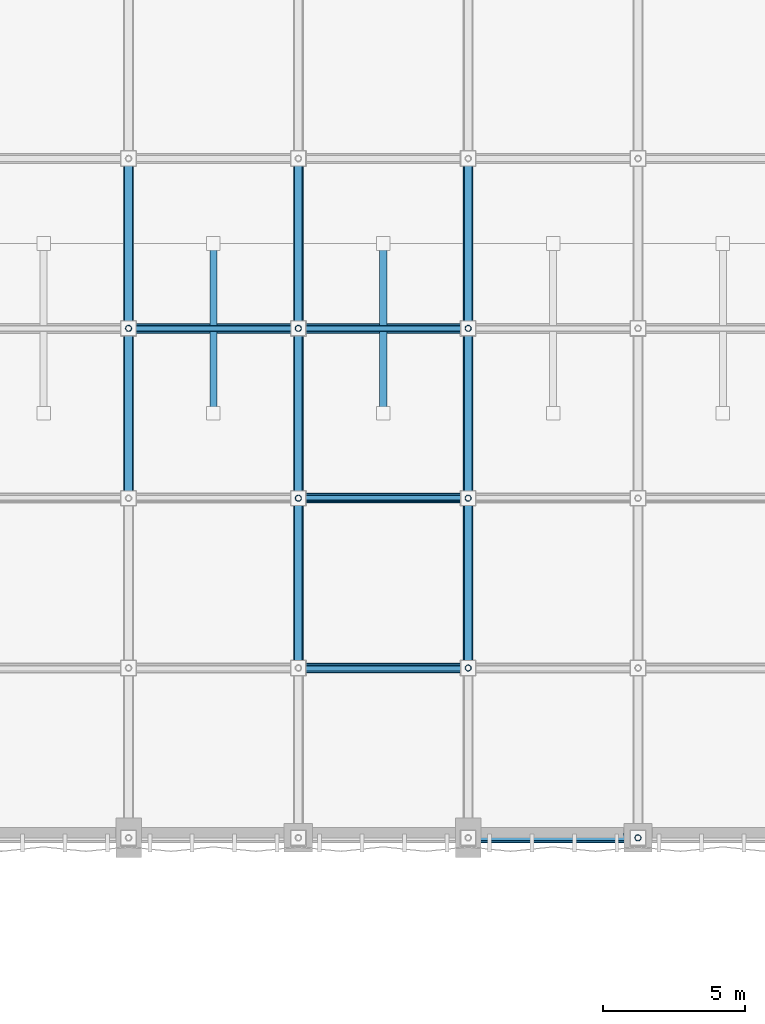
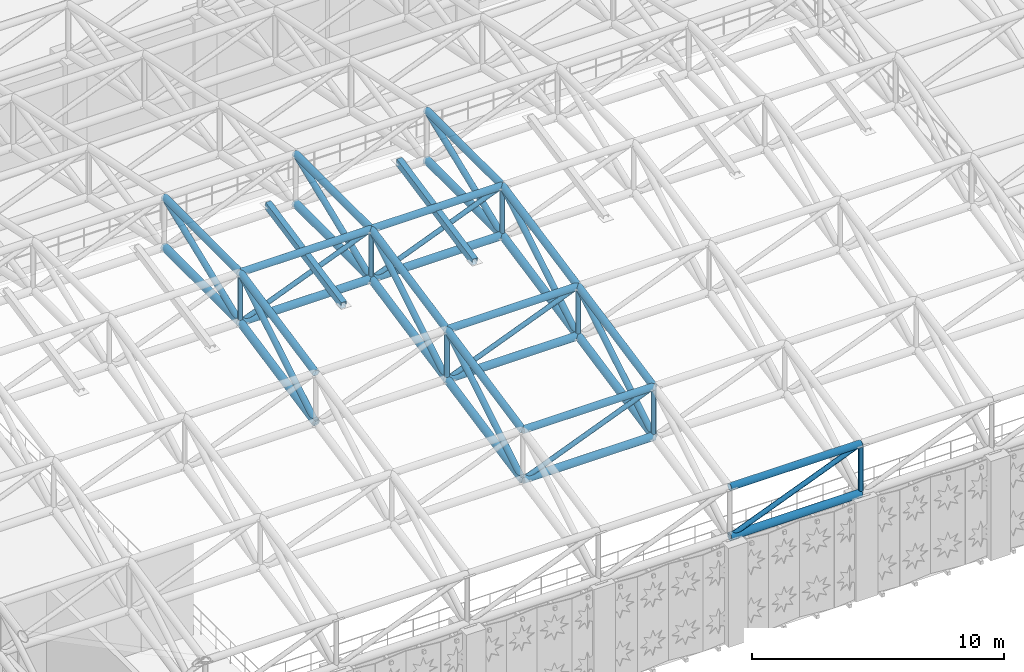
# One storey, part 18 of 112: 48 members.
"""IFC4 building model written with IfcOpenShell, lengths in metres."""

from ifc_helpers import new_model, si_unit, direction, frame, origin, origin_2d, place, context, subcontext, project, spatial, hollow_rectangle, hollow_circle, extrude, material, material_profile, profile_set, type_object, element, save


model = new_model("IFC4")

# Units and contexts
model_context = context("Model", 3, precision=1e-05, world=origin(), true_north=direction((0.0, 1.0)))
body_context = subcontext(model_context, "Body", "Model", "MODEL_VIEW")
ifc_project = project(units=[si_unit("LENGTHUNIT", "METRE"), si_unit("AREAUNIT", "SQUARE_METRE"), si_unit("VOLUMEUNIT", "CUBIC_METRE"), si_unit("PLANEANGLEUNIT", "RADIAN"), si_unit("MASSUNIT", "GRAM", prefix="KILO"), si_unit("THERMODYNAMICTEMPERATUREUNIT", "KELVIN"), si_unit("POWERUNIT", "WATT")], contexts=[model_context])

# Site, building, storey
site_placement = place(None, origin())
site = spatial("IfcSite", under=ifc_project, at=site_placement, CompositionType="ELEMENT")
building_placement = place(site_placement, origin())
building = spatial("IfcBuilding", under=site, at=building_placement, Name="Phaisarnlok Congress Hotel", CompositionType="ELEMENT")
storey_placement = place(building_placement, frame((0.0, 0.0, 19.800048828125)))
storey = spatial("IfcBuildingStorey", under=building, at=storey_placement, Name="L04", CompositionType="ELEMENT", Elevation=19.800048828125)

# Members
ifc_material = material(Name="Steel S355", Category="steel")
ifc_material_profile_1 = material_profile(ifc_material, hollow_circle(Radius=0.109619140625, WallThickness=0.012451171875, at=origin_2d()), Name="CHS 219.1x12.5")
ifc_profile_set_1 = profile_set([ifc_material_profile_1], Name="Steel S355")
member_type_1 = type_object("IfcMemberType", Name="MEM-BRC-CHS219", PredefinedType="BRACE", material=ifc_profile_set_1)
member_1_placement = place(storey_placement, frame((18.0, 60.0, 8.462158203125), z_axis=(0.0, 0.0, 1.0), x_axis=(1.0, 0.0, 0.0)))
element("IfcMember", 1, at=member_1_placement, inside=storey, type_object=member_type_1, Name="Congress Hall space frame vertical brace TB-02", PredefinedType="BRACE", context=body_context, shape_type="SweptSolid", body=[
    extrude(hollow_circle(Radius=0.109619140625, WallThickness=0.012451171875, at=origin_2d()), origin(), (0.0, 0.0, 1.0), 2.39990234375),
])
for number, where, z_axis, x_axis, name in (
    (2, (18.0, 60.0, 8.462158203125), (0.928481901832, 0.0, 0.371377648723), (0.0, 1.0, 0.0), "Congress Hall space frame web diagonal TB-02"),
    (3, (24.0, 48.0, 6.020751953125), (0.928481901832, 0.0, 0.371377648723), (0.0, 1.0, 0.0), "Congress Hall space frame web diagonal TB-02"),
):
    element("IfcMember", number, at=place(storey_placement, frame(where, z_axis=z_axis, x_axis=x_axis)), inside=storey, type_object=member_type_1, Name=name, PredefinedType="BRACE", context=body_context, shape_type="SweptSolid", body=[
        extrude(hollow_circle(Radius=0.109619140625, WallThickness=0.012451171875, at=origin_2d()), origin(), (0.0, 0.0, 1.0), 6.462158203125),
    ])
member_2_placement = place(storey_placement, frame((24.0, 54.0, 7.241455078125), z_axis=(0.0, 0.0, 1.0), x_axis=(1.0, 0.0, 0.0)))
element("IfcMember", 4, at=member_2_placement, inside=storey, type_object=member_type_1, Name="Congress Hall space frame vertical brace TB-02", PredefinedType="BRACE", context=body_context, shape_type="SweptSolid", body=[
    extrude(hollow_circle(Radius=0.109619140625, WallThickness=0.012451171875, at=origin_2d()), origin(), (0.0, 0.0, 1.0), 2.39990234375),
])
member_3_placement = place(storey_placement, frame((24.0, 54.0, 7.241455078125), z_axis=(0.928481901832, 0.0, 0.371377648723), x_axis=(0.0, 1.0, 0.0)))
element("IfcMember", 5, at=member_3_placement, inside=storey, type_object=member_type_1, Name="Congress Hall space frame web diagonal TB-02", PredefinedType="BRACE", context=body_context, shape_type="SweptSolid", body=[
    extrude(hollow_circle(Radius=0.109619140625, WallThickness=0.012451171875, at=origin_2d()), origin(), (0.0, 0.0, 1.0), 6.462158203125),
])
member_4_placement = place(storey_placement, frame((24.0, 60.0, 8.462158203125), z_axis=(0.0, 0.0, 1.0), x_axis=(1.0, 0.0, 0.0)))
element("IfcMember", 6, at=member_4_placement, inside=storey, type_object=member_type_1, Name="Congress Hall space frame vertical brace TB-02", PredefinedType="BRACE", context=body_context, shape_type="SweptSolid", body=[
    extrude(hollow_circle(Radius=0.109619140625, WallThickness=0.012451171875, at=origin_2d()), origin(), (0.0, 0.0, 1.0), 2.39990234375),
])
for number, where, z_axis, x_axis, name in (
    (7, (24.0, 60.0, 8.462158203125), (0.928481901832, 0.0, 0.371377648723), (0.0, 1.0, 0.0), "Congress Hall space frame web diagonal TB-02"),
    (8, (30.0, 42.0, 4.800048828125), (0.928481901832, 0.0, 0.371377648723), (0.0, 1.0, 0.0), "Congress Hall space frame web diagonal TB-02"),
):
    element("IfcMember", number, at=place(storey_placement, frame(where, z_axis=z_axis, x_axis=x_axis)), inside=storey, type_object=member_type_1, Name=name, PredefinedType="BRACE", context=body_context, shape_type="SweptSolid", body=[
        extrude(hollow_circle(Radius=0.109619140625, WallThickness=0.012451171875, at=origin_2d()), origin(), (0.0, 0.0, 1.0), 6.462158203125),
    ])
for number, where, z_axis, x_axis, name in (
    (9, (30.0, 48.0, 6.020751953125), (0.0, 0.0, 1.0), (1.0, 0.0, 0.0), "Congress Hall space frame vertical brace TB-02"),
    (10, (30.0, 54.0, 7.241455078125), (0.0, 0.0, 1.0), (1.0, 0.0, 0.0), "Congress Hall space frame vertical brace TB-02"),
    (11, (30.0, 60.0, 8.462158203125), (0.0, 0.0, 1.0), (1.0, 0.0, 0.0), "Congress Hall space frame vertical brace TB-02"),
    (12, (36.0, 42.0, 4.800048828125), (0.0, 0.0, 1.0), (1.0, 0.0, 0.0), "Congress Hall space frame vertical brace TB-02"),
):
    element("IfcMember", number, at=place(storey_placement, frame(where, z_axis=z_axis, x_axis=x_axis)), inside=storey, type_object=member_type_1, Name=name, PredefinedType="BRACE", context=body_context, shape_type="SweptSolid", body=[
        extrude(hollow_circle(Radius=0.109619140625, WallThickness=0.012451171875, at=origin_2d()), origin(), (0.0, 0.0, 1.0), 2.39990234375),
    ])
ifc_material_profile_2 = material_profile(ifc_material, hollow_circle(Radius=0.136474609375, WallThickness=0.01611328125, at=origin_2d()), Name="CHS 273x16")
ifc_profile_set_2 = profile_set([ifc_material_profile_2], Name="Steel S355")
member_type_2 = type_object("IfcMemberType", Name="MEM-BRC-CHS273", PredefinedType="BRACE", material=ifc_profile_set_2)
member_5_placement = place(storey_placement, frame((18.0, 54.0, 7.241455078125), z_axis=(0.0, 0.856192975252, 0.516656161417), x_axis=(-1.0, 0.0, 0.0)))
element("IfcMember", 13, at=member_5_placement, inside=storey, type_object=member_type_2, Name="Congress Hall space frame raking brace TB-03", PredefinedType="BRACE", context=body_context, shape_type="SweptSolid", body=[
    extrude(hollow_circle(Radius=0.136474609375, WallThickness=0.01611328125, at=origin_2d()), origin(), (0.0, 0.0, 1.0), 7.0078125),
])
member_6_placement = place(storey_placement, frame((18.0, 60.0, 8.462158203125), z_axis=(0.0, 0.928481901832, 0.371377648723), x_axis=(-1.0, 0.0, 0.0)))
element("IfcMember", 14, at=member_6_placement, inside=storey, type_object=member_type_2, Name="Congress Hall space frame raking brace TB-03", PredefinedType="BRACE", context=body_context, shape_type="SweptSolid", body=[
    extrude(hollow_circle(Radius=0.136474609375, WallThickness=0.01611328125, at=origin_2d()), origin(), (0.0, 0.0, 1.0), 6.462158203125),
])
for number, where, z_axis, x_axis, name in (
    (15, (24.0, 48.0, 6.020751953125), (0.0, 0.856192975252, 0.516656161417), (-1.0, 0.0, 0.0), "Congress Hall space frame raking brace TB-03"),
    (16, (24.0, 54.0, 7.241455078125), (0.0, 0.856192975252, 0.516656161417), (-1.0, 0.0, 0.0), "Congress Hall space frame raking brace TB-03"),
):
    element("IfcMember", number, at=place(storey_placement, frame(where, z_axis=z_axis, x_axis=x_axis)), inside=storey, type_object=member_type_2, Name=name, PredefinedType="BRACE", context=body_context, shape_type="SweptSolid", body=[
        extrude(hollow_circle(Radius=0.136474609375, WallThickness=0.01611328125, at=origin_2d()), origin(), (0.0, 0.0, 1.0), 7.0078125),
    ])
member_7_placement = place(storey_placement, frame((24.0, 60.0, 8.462158203125), z_axis=(0.0, 0.928481901832, 0.371377648723), x_axis=(-1.0, 0.0, 0.0)))
element("IfcMember", 17, at=member_7_placement, inside=storey, type_object=member_type_2, Name="Congress Hall space frame raking brace TB-03", PredefinedType="BRACE", context=body_context, shape_type="SweptSolid", body=[
    extrude(hollow_circle(Radius=0.136474609375, WallThickness=0.01611328125, at=origin_2d()), origin(), (0.0, 0.0, 1.0), 6.462158203125),
])
for number, where, z_axis, x_axis, name in (
    (18, (30.0, 48.0, 6.020751953125), (0.0, 0.856192975252, 0.516656161417), (-1.0, 0.0, 0.0), "Congress Hall space frame raking brace TB-03"),
    (19, (30.0, 54.0, 7.241455078125), (0.0, 0.856192975252, 0.516656161417), (-1.0, 0.0, 0.0), "Congress Hall space frame raking brace TB-03"),
):
    element("IfcMember", number, at=place(storey_placement, frame(where, z_axis=z_axis, x_axis=x_axis)), inside=storey, type_object=member_type_2, Name=name, PredefinedType="BRACE", context=body_context, shape_type="SweptSolid", body=[
        extrude(hollow_circle(Radius=0.136474609375, WallThickness=0.01611328125, at=origin_2d()), origin(), (0.0, 0.0, 1.0), 7.0078125),
    ])
member_8_placement = place(storey_placement, frame((30.0, 60.0, 8.462158203125), z_axis=(0.0, 0.928481901832, 0.371377648723), x_axis=(-1.0, 0.0, 0.0)))
element("IfcMember", 20, at=member_8_placement, inside=storey, type_object=member_type_2, Name="Congress Hall space frame raking brace TB-03", PredefinedType="BRACE", context=body_context, shape_type="SweptSolid", body=[
    extrude(hollow_circle(Radius=0.136474609375, WallThickness=0.01611328125, at=origin_2d()), origin(), (0.0, 0.0, 1.0), 6.462158203125),
])
ifc_material_profile_3 = material_profile(ifc_material, hollow_circle(Radius=0.161865234375, WallThickness=0.01611328125, at=origin_2d()), Name="CHS 323.9x16")
ifc_profile_set_3 = profile_set([ifc_material_profile_3], Name="Steel S355")
member_type_3 = type_object("IfcMemberType", Name="MEM-CHD-CHS324", PredefinedType="CHORD", material=ifc_profile_set_3)
member_9_placement = place(storey_placement, frame((18.0, 54.0, 9.641357421875), z_axis=(0.0, 0.979925045119, 0.199366260807), x_axis=(-1.0, 0.0, 0.0)))
element("IfcMember", 21, at=member_9_placement, inside=storey, type_object=member_type_3, Name="Congress Hall space frame top chord TC-02", PredefinedType="CHORD", context=body_context, shape_type="SweptSolid", body=[
    extrude(hollow_circle(Radius=0.161865234375, WallThickness=0.01611328125, at=origin_2d()), origin(), (0.0, 0.0, 1.0), 6.122802734375),
])
for number, where, z_axis, x_axis, name in (
    (22, (18.0, 60.0, 10.862060546875), (1.0, 0.0, 0.0), (0.0, 1.0, 0.0), "Congress Hall space frame top chord TC-02"),
    (23, (18.0, 60.0, 10.862060546875), (0.0, 1.0, 0.0), (-1.0, 0.0, 0.0), "Congress Hall space frame top chord TC-02"),
    (24, (24.0, 48.0, 8.420654296875), (1.0, 0.0, 0.0), (0.0, 1.0, 0.0), "Congress Hall space frame top chord TC-02"),
):
    element("IfcMember", number, at=place(storey_placement, frame(where, z_axis=z_axis, x_axis=x_axis)), inside=storey, type_object=member_type_3, Name=name, PredefinedType="CHORD", context=body_context, shape_type="SweptSolid", body=[
        extrude(hollow_circle(Radius=0.161865234375, WallThickness=0.01611328125, at=origin_2d()), origin(), (0.0, 0.0, 1.0), 6.0),
    ])
member_10_placement = place(storey_placement, frame((24.0, 48.0, 8.420654296875), z_axis=(0.0, 0.979925045119, 0.199366260807), x_axis=(-1.0, 0.0, 0.0)))
element("IfcMember", 25, at=member_10_placement, inside=storey, type_object=member_type_3, Name="Congress Hall space frame top chord TC-02", PredefinedType="CHORD", context=body_context, shape_type="SweptSolid", body=[
    extrude(hollow_circle(Radius=0.161865234375, WallThickness=0.01611328125, at=origin_2d()), origin(), (0.0, 0.0, 1.0), 6.122802734375),
])
member_11_placement = place(storey_placement, frame((24.0, 54.0, 9.641357421875), z_axis=(1.0, 0.0, 0.0), x_axis=(0.0, 1.0, 0.0)))
element("IfcMember", 26, at=member_11_placement, inside=storey, type_object=member_type_3, Name="Congress Hall space frame top chord TC-02", PredefinedType="CHORD", context=body_context, shape_type="SweptSolid", body=[
    extrude(hollow_circle(Radius=0.161865234375, WallThickness=0.01611328125, at=origin_2d()), origin(), (0.0, 0.0, 1.0), 6.0),
])
member_12_placement = place(storey_placement, frame((24.0, 54.0, 9.641357421875), z_axis=(0.0, 0.979925045119, 0.199366260807), x_axis=(-1.0, 0.0, 0.0)))
element("IfcMember", 27, at=member_12_placement, inside=storey, type_object=member_type_3, Name="Congress Hall space frame top chord TC-02", PredefinedType="CHORD", context=body_context, shape_type="SweptSolid", body=[
    extrude(hollow_circle(Radius=0.161865234375, WallThickness=0.01611328125, at=origin_2d()), origin(), (0.0, 0.0, 1.0), 6.122802734375),
])
for number, where, z_axis, x_axis, name in (
    (28, (24.0, 60.0, 10.862060546875), (1.0, 0.0, 0.0), (0.0, 1.0, 0.0), "Congress Hall space frame top chord TC-02"),
    (29, (24.0, 60.0, 10.862060546875), (0.0, 1.0, 0.0), (-1.0, 0.0, 0.0), "Congress Hall space frame top chord TC-02"),
    (30, (30.0, 42.0, 7.199951171875), (1.0, 0.0, 0.0), (0.0, 1.0, 0.0), "Congress Hall space frame top chord TC-02"),
):
    element("IfcMember", number, at=place(storey_placement, frame(where, z_axis=z_axis, x_axis=x_axis)), inside=storey, type_object=member_type_3, Name=name, PredefinedType="CHORD", context=body_context, shape_type="SweptSolid", body=[
        extrude(hollow_circle(Radius=0.161865234375, WallThickness=0.01611328125, at=origin_2d()), origin(), (0.0, 0.0, 1.0), 6.0),
    ])
for number, where, z_axis, x_axis, name in (
    (31, (30.0, 48.0, 8.420654296875), (0.0, 0.979925045119, 0.199366260807), (-1.0, 0.0, 0.0), "Congress Hall space frame top chord TC-02"),
    (32, (30.0, 54.0, 9.641357421875), (0.0, 0.979925045119, 0.199366260807), (-1.0, 0.0, 0.0), "Congress Hall space frame top chord TC-02"),
):
    element("IfcMember", number, at=place(storey_placement, frame(where, z_axis=z_axis, x_axis=x_axis)), inside=storey, type_object=member_type_3, Name=name, PredefinedType="CHORD", context=body_context, shape_type="SweptSolid", body=[
        extrude(hollow_circle(Radius=0.161865234375, WallThickness=0.01611328125, at=origin_2d()), origin(), (0.0, 0.0, 1.0), 6.122802734375),
    ])
member_13_placement = place(storey_placement, frame((30.0, 60.0, 10.862060546875), z_axis=(0.0, 1.0, 0.0), x_axis=(-1.0, 0.0, 0.0)))
element("IfcMember", 33, at=member_13_placement, inside=storey, type_object=member_type_3, Name="Congress Hall space frame top chord TC-02", PredefinedType="CHORD", context=body_context, shape_type="SweptSolid", body=[
    extrude(hollow_circle(Radius=0.161865234375, WallThickness=0.01611328125, at=origin_2d()), origin(), (0.0, 0.0, 1.0), 6.0),
])
ifc_material_profile_4 = material_profile(ifc_material, hollow_circle(Radius=0.177734375, WallThickness=0.02001953125, at=origin_2d()), Name="CHS 355.6x20")
ifc_profile_set_4 = profile_set([ifc_material_profile_4], Name="Steel S355")
member_type_4 = type_object("IfcMemberType", Name="MEM-CHD-CHS356", PredefinedType="CHORD", material=ifc_profile_set_4)
member_14_placement = place(storey_placement, frame((18.0, 54.0, 7.241455078125), z_axis=(0.0, 0.979925045119, 0.199366260807), x_axis=(-1.0, 0.0, 0.0)))
element("IfcMember", 34, at=member_14_placement, inside=storey, type_object=member_type_4, Name="Congress Hall space frame bottom chord TC-01", PredefinedType="CHORD", context=body_context, shape_type="SweptSolid", body=[
    extrude(hollow_circle(Radius=0.177734375, WallThickness=0.02001953125, at=origin_2d()), origin(), (0.0, 0.0, 1.0), 6.122802734375),
])
for number, where, z_axis, x_axis, name in (
    (35, (18.0, 60.0, 8.462158203125), (1.0, 0.0, 0.0), (0.0, 1.0, 0.0), "Congress Hall space frame bottom chord TC-01"),
    (36, (18.0, 60.0, 8.462158203125), (0.0, 1.0, 0.0), (-1.0, 0.0, 0.0), "Congress Hall space frame bottom chord TC-01"),
    (37, (24.0, 48.0, 6.020751953125), (1.0, 0.0, 0.0), (0.0, 1.0, 0.0), "Congress Hall space frame bottom chord TC-01"),
):
    element("IfcMember", number, at=place(storey_placement, frame(where, z_axis=z_axis, x_axis=x_axis)), inside=storey, type_object=member_type_4, Name=name, PredefinedType="CHORD", context=body_context, shape_type="SweptSolid", body=[
        extrude(hollow_circle(Radius=0.177734375, WallThickness=0.02001953125, at=origin_2d()), origin(), (0.0, 0.0, 1.0), 6.0),
    ])
member_15_placement = place(storey_placement, frame((24.0, 48.0, 6.020751953125), z_axis=(0.0, 0.979925045119, 0.199366260807), x_axis=(-1.0, 0.0, 0.0)))
element("IfcMember", 38, at=member_15_placement, inside=storey, type_object=member_type_4, Name="Congress Hall space frame bottom chord TC-01", PredefinedType="CHORD", context=body_context, shape_type="SweptSolid", body=[
    extrude(hollow_circle(Radius=0.177734375, WallThickness=0.02001953125, at=origin_2d()), origin(), (0.0, 0.0, 1.0), 6.122802734375),
])
member_16_placement = place(storey_placement, frame((24.0, 54.0, 7.241455078125), z_axis=(1.0, 0.0, 0.0), x_axis=(0.0, 1.0, 0.0)))
element("IfcMember", 39, at=member_16_placement, inside=storey, type_object=member_type_4, Name="Congress Hall space frame bottom chord TC-01", PredefinedType="CHORD", context=body_context, shape_type="SweptSolid", body=[
    extrude(hollow_circle(Radius=0.177734375, WallThickness=0.02001953125, at=origin_2d()), origin(), (0.0, 0.0, 1.0), 6.0),
])
member_17_placement = place(storey_placement, frame((24.0, 54.0, 7.241455078125), z_axis=(0.0, 0.979925045119, 0.199366260807), x_axis=(-1.0, 0.0, 0.0)))
element("IfcMember", 40, at=member_17_placement, inside=storey, type_object=member_type_4, Name="Congress Hall space frame bottom chord TC-01", PredefinedType="CHORD", context=body_context, shape_type="SweptSolid", body=[
    extrude(hollow_circle(Radius=0.177734375, WallThickness=0.02001953125, at=origin_2d()), origin(), (0.0, 0.0, 1.0), 6.122802734375),
])
for number, where, z_axis, x_axis, name in (
    (41, (24.0, 60.0, 8.462158203125), (1.0, 0.0, 0.0), (0.0, 1.0, 0.0), "Congress Hall space frame bottom chord TC-01"),
    (42, (24.0, 60.0, 8.462158203125), (0.0, 1.0, 0.0), (-1.0, 0.0, 0.0), "Congress Hall space frame bottom chord TC-01"),
    (43, (30.0, 42.0, 4.800048828125), (1.0, 0.0, 0.0), (0.0, 1.0, 0.0), "Congress Hall space frame bottom chord TC-01"),
):
    element("IfcMember", number, at=place(storey_placement, frame(where, z_axis=z_axis, x_axis=x_axis)), inside=storey, type_object=member_type_4, Name=name, PredefinedType="CHORD", context=body_context, shape_type="SweptSolid", body=[
        extrude(hollow_circle(Radius=0.177734375, WallThickness=0.02001953125, at=origin_2d()), origin(), (0.0, 0.0, 1.0), 6.0),
    ])
for number, where, z_axis, x_axis, name in (
    (44, (30.0, 48.0, 6.020751953125), (0.0, 0.979925045119, 0.199366260807), (-1.0, 0.0, 0.0), "Congress Hall space frame bottom chord TC-01"),
    (45, (30.0, 54.0, 7.241455078125), (0.0, 0.979925045119, 0.199366260807), (-1.0, 0.0, 0.0), "Congress Hall space frame bottom chord TC-01"),
):
    element("IfcMember", number, at=place(storey_placement, frame(where, z_axis=z_axis, x_axis=x_axis)), inside=storey, type_object=member_type_4, Name=name, PredefinedType="CHORD", context=body_context, shape_type="SweptSolid", body=[
        extrude(hollow_circle(Radius=0.177734375, WallThickness=0.02001953125, at=origin_2d()), origin(), (0.0, 0.0, 1.0), 6.122802734375),
    ])
member_18_placement = place(storey_placement, frame((30.0, 60.0, 8.462158203125), z_axis=(0.0, 1.0, 0.0), x_axis=(-1.0, 0.0, 0.0)))
element("IfcMember", 46, at=member_18_placement, inside=storey, type_object=member_type_4, Name="Congress Hall space frame bottom chord TC-01", PredefinedType="CHORD", context=body_context, shape_type="SweptSolid", body=[
    extrude(hollow_circle(Radius=0.177734375, WallThickness=0.02001953125, at=origin_2d()), origin(), (0.0, 0.0, 1.0), 6.0),
])
ifc_material_profile_5 = material_profile(ifc_material, hollow_rectangle(XDim=0.25, YDim=0.35009765625, WallThickness=0.01611328125, at=origin_2d()), Name="RHS 350x250x16")
ifc_profile_set_5 = profile_set([ifc_material_profile_5], Name="Steel S355")
member_type_5 = type_object("IfcMemberType", Name="MEM-PUR-RHS350", PredefinedType="PURLIN", material=ifc_profile_set_5)
for number, where, z_axis, x_axis, name in (
    (47, (21.0, 57.0, 10.0517578125), (0.0, 0.979925045119, 0.199366260807), (-1.0, 0.0, 0.0), "Congress Hall ridge purlin member PR-M1"),
    (48, (27.0, 57.0, 10.0517578125), (0.0, 0.979925045119, 0.199366260807), (-1.0, 0.0, 0.0), "Congress Hall ridge purlin member PR-M1"),
):
    element("IfcMember", number, at=place(storey_placement, frame(where, z_axis=z_axis, x_axis=x_axis)), inside=storey, type_object=member_type_5, Name=name, PredefinedType="PURLIN", context=body_context, shape_type="SweptSolid", body=[
        extrude(hollow_rectangle(XDim=0.25, YDim=0.35009765625, WallThickness=0.01611328125, at=origin_2d()), origin(), (0.0, 0.0, 1.0), 6.122802734375),
    ])

save(model, "model.ifc")
